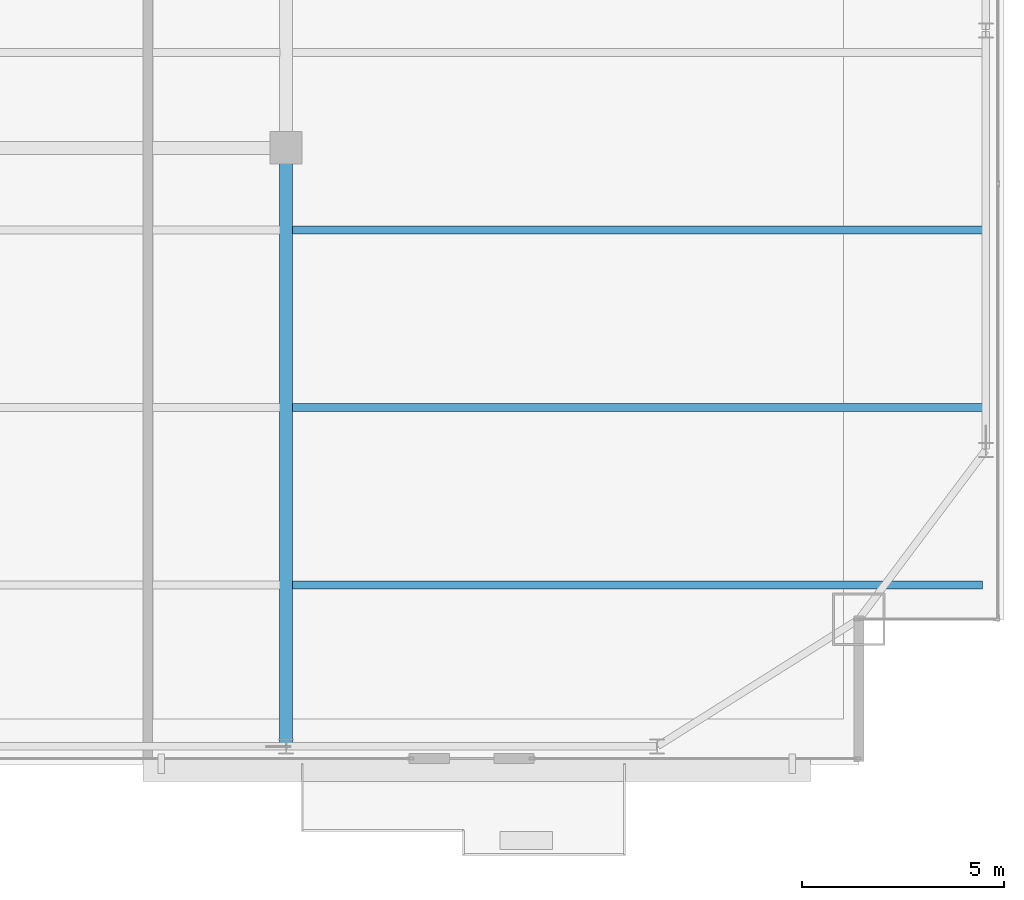
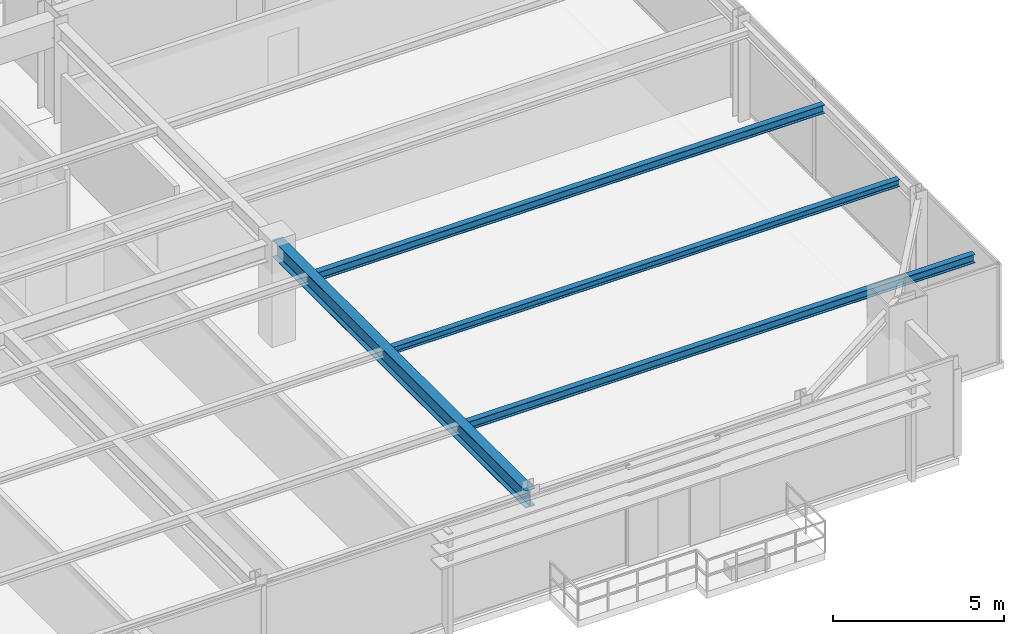
# One storey, part 15 of 31: 4 beams.
"""IFC4 building model written with IfcOpenShell, lengths in metres."""

from ifc_helpers import new_model, si_unit, direction, frame, origin, origin_2d, place, context, subcontext, project, spatial, i_section, extrude, source, transform, mapped, material, material_profile, profile_set, type_object, type_shapes, element, save


model = new_model("IFC4")

# Units and contexts
model_context = context("Model", 3, precision=1e-05, world=origin(), true_north=direction((0.0, 1.0)))
body_context = subcontext(model_context, "Body", "Model", "MODEL_VIEW")
ifc_project = project(units=[si_unit("LENGTHUNIT", "METRE"), si_unit("AREAUNIT", "SQUARE_METRE"), si_unit("VOLUMEUNIT", "CUBIC_METRE"), si_unit("PLANEANGLEUNIT", "RADIAN"), si_unit("MASSUNIT", "GRAM", prefix="KILO")], contexts=[model_context])

# Site, building, storey
site_placement = place(None, origin())
site = spatial("IfcSite", under=ifc_project, at=site_placement, CompositionType="ELEMENT")
building_placement = place(site_placement, origin())
building = spatial("IfcBuilding", under=site, at=building_placement, Name="Varnel Quay Broadcast Tower", CompositionType="ELEMENT")
storey_placement = place(building_placement, frame((0.0, 0.0, 157.199951171875)))
storey = spatial("IfcBuildingStorey", under=building, at=storey_placement, Name="L38", CompositionType="ELEMENT", Elevation=157.199951171875)

# Beams
ifc_material = material(Name="Structural Steel CSA G40.21 350W", Category="steel")
ifc_material_profile_1 = material_profile(ifc_material, i_section(OverallWidth=0.324951171875, OverallDepth=0.615966796875, WebThickness=0.013916015625, FlangeThickness=0.021484375, FilletRadius=0.01611328125, at=origin_2d()), Name="W610X174")
ifc_profile_set_1 = profile_set([ifc_material_profile_1], Name="Structural Steel CSA G40.21 350W")
beam_type_1 = type_object("IfcBeamType", Name="Girder_W610X174", PredefinedType="BEAM", material=ifc_profile_set_1)
shared_shape_1 = source(origin(), body_context, "Body", "SweptSolid", [
    extrude(i_section(OverallWidth=0.324951171875, OverallDepth=0.615966796875, WebThickness=0.013916015625, FlangeThickness=0.021484375, FilletRadius=0.01611328125, at=origin_2d()), origin(), (0.0, 0.0, 1.0), 14.800048828125),
])
type_shapes(beam_type_1, [shared_shape_1])
beam_1_placement = place(storey_placement, frame((43.199951171875, 7.669921875, 3.241943359375), z_axis=(0.0, 1.0, 0.0), x_axis=(-1.0, 0.0, 0.0)))
element("IfcBeam", 1, at=beam_1_placement, inside=storey, type_object=beam_type_1, Name="L38 Primary Girder TC-S4-IC-02", PredefinedType="BEAM", context=body_context, shape_type="MappedRepresentation", body=[
    mapped(shared_shape_1, transform((0.0, 0.0, 0.0), x_axis=(1.0, 0.0, 0.0), y_axis=(0.0, 1.0, 0.0), z_axis=(0.0, 0.0, 1.0), scale=1.0)),
])
ifc_material_profile_2 = material_profile(ifc_material, i_section(OverallWidth=0.202880859375, OverallDepth=0.302978515625, WebThickness=0.007568359375, FlangeThickness=0.01318359375, FilletRadius=0.011962890625, at=origin_2d()), Name="W310X60")
ifc_profile_set_2 = profile_set([ifc_material_profile_2], Name="Structural Steel CSA G40.21 350W")
beam_type_2 = type_object("IfcBeamType", Name="Beam_W310X60", PredefinedType="JOIST", material=ifc_profile_set_2)
shared_shape_2 = source(origin(), body_context, "Body", "SweptSolid", [
    extrude(i_section(OverallWidth=0.202880859375, OverallDepth=0.302978515625, WebThickness=0.007568359375, FlangeThickness=0.01318359375, FilletRadius=0.011962890625, at=origin_2d()), origin(), (0.0, 0.0, 1.0), 17.107177734375),
])
type_shapes(beam_type_2, [shared_shape_2])
for number, where, z_axis, x_axis, name in (
    (2, (43.357421875, 11.64990234375, 3.3984375), (1.0, 0.0, 0.0), (0.0, 1.0, 0.0), "L38 East Floor Joist 1"),
    (3, (43.357421875, 20.449951171875, 3.3984375), (1.0, 0.0, 0.0), (0.0, 1.0, 0.0), "L38 East Floor Joist 3"),
):
    element("IfcBeam", number, at=place(storey_placement, frame(where, z_axis=z_axis, x_axis=x_axis)), inside=storey, type_object=beam_type_2, Name=name, PredefinedType="JOIST", context=body_context, shape_type="MappedRepresentation", body=[
        mapped(shared_shape_2, transform((0.0, 0.0, 0.0), x_axis=(1.0, 0.0, 0.0), y_axis=(0.0, 1.0, 0.0), z_axis=(0.0, 0.0, 1.0), scale=1.0)),
    ])
ifc_material_profile_3 = material_profile(ifc_material, i_section(OverallWidth=0.201904296875, OverallDepth=0.2470703125, WebThickness=0.00732421875, FlangeThickness=0.010986328125, FilletRadius=0.010986328125, at=origin_2d()), Name="W250X49")
ifc_profile_set_3 = profile_set([ifc_material_profile_3], Name="Structural Steel CSA G40.21 350W")
beam_type_3 = type_object("IfcBeamType", Name="Beam_W250X49", PredefinedType="JOIST", material=ifc_profile_set_3)
shared_shape_3 = source(origin(), body_context, "Body", "SweptSolid", [
    extrude(i_section(OverallWidth=0.201904296875, OverallDepth=0.2470703125, WebThickness=0.00732421875, FlangeThickness=0.010986328125, FilletRadius=0.010986328125, at=origin_2d()), origin(), (0.0, 0.0, 1.0), 17.107177734375),
])
type_shapes(beam_type_3, [shared_shape_3])
beam_2_placement = place(storey_placement, frame((43.357421875, 16.050048828125, 3.426513671875), z_axis=(1.0, 0.0, 0.0), x_axis=(0.0, 1.0, 0.0)))
element("IfcBeam", 4, at=beam_2_placement, inside=storey, type_object=beam_type_3, Name="L38 East Floor Joist 2", PredefinedType="JOIST", context=body_context, shape_type="MappedRepresentation", body=[
    mapped(shared_shape_3, transform((0.0, 0.0, 0.0), x_axis=(1.0, 0.0, 0.0), y_axis=(0.0, 1.0, 0.0), z_axis=(0.0, 0.0, 1.0), scale=1.0)),
])

save(model, "model.ifc")
